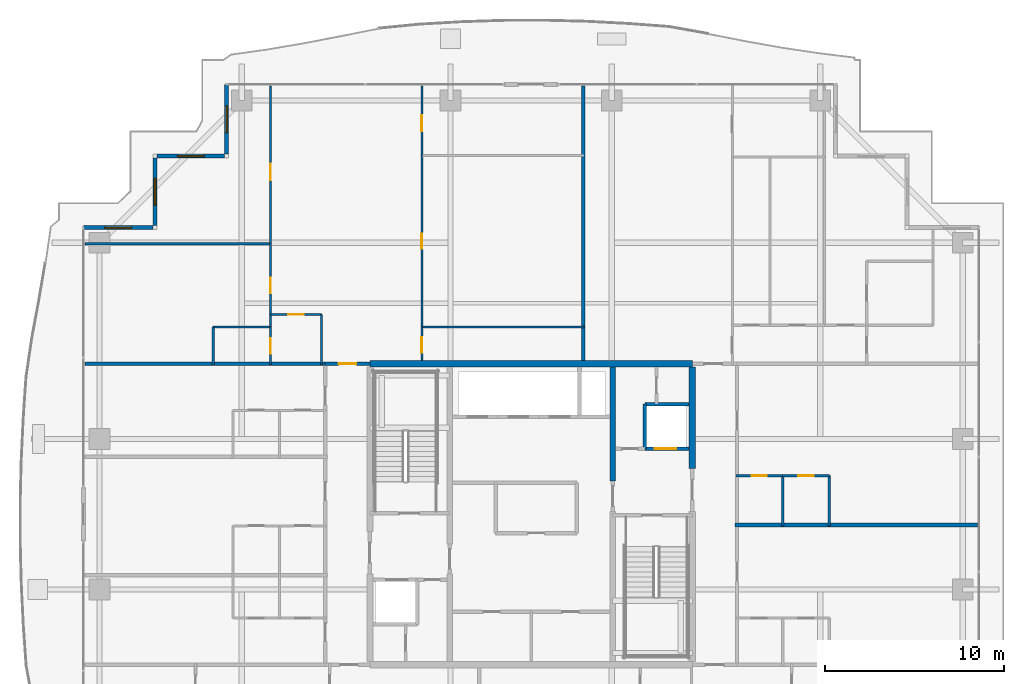
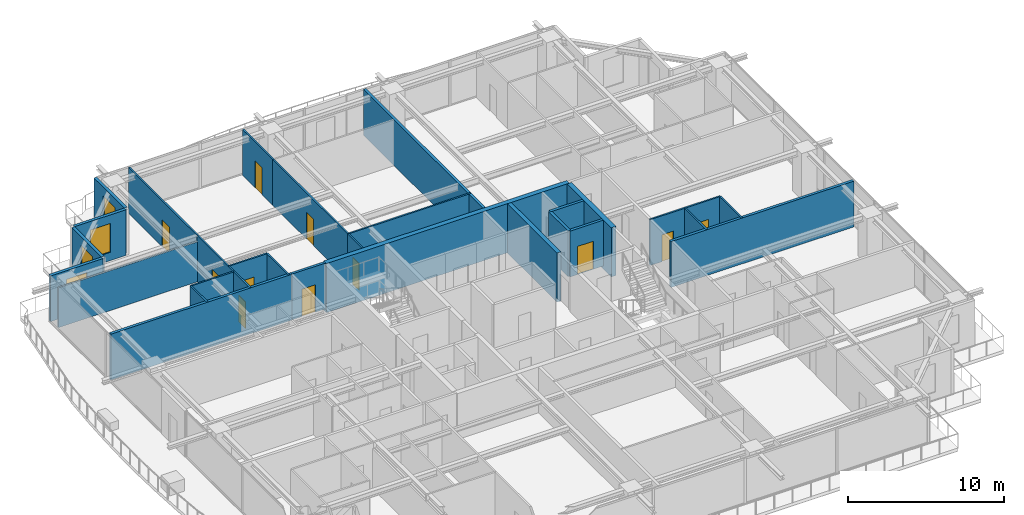
# One storey, part 30 of 38: 30 walls, 11 doors, 4 windows, 15 openings.
"""IFC4 building model written with IfcOpenShell, lengths in metres."""

from ifc_helpers import new_model, si_unit, direction, frame, frame_2d, origin, place, context, subcontext, project, spatial, rectangle, extrude, source, transform, mapped, material, layer, layer_set, type_object, element, fill, save


model = new_model("IFC4")

# Units and contexts
model_context = context("Model", 3, precision=1e-05, world=origin(), true_north=direction((0.0, 1.0)))
body_context = subcontext(model_context, "Body", "Model", "MODEL_VIEW")
ifc_project = project(units=[si_unit("LENGTHUNIT", "METRE"), si_unit("AREAUNIT", "SQUARE_METRE"), si_unit("VOLUMEUNIT", "CUBIC_METRE"), si_unit("PLANEANGLEUNIT", "RADIAN"), si_unit("MASSUNIT", "GRAM", prefix="KILO")], contexts=[model_context])

# Site, building, storey
site_placement = place(None, origin())
site = spatial("IfcSite", under=ifc_project, at=site_placement, CompositionType="ELEMENT")
building_placement = place(site_placement, origin())
building = spatial("IfcBuilding", under=site, at=building_placement, Name="Serunith Strait Residences", CompositionType="ELEMENT")
storey_placement = place(building_placement, frame((0.0, 0.0, 237.39990234375)))
storey = spatial("IfcBuildingStorey", under=building, at=storey_placement, Name="L59", CompositionType="ELEMENT", Elevation=237.39990234375)

# Wall, opening, window
ifc_material_1 = material(Name="Pale-Champagne Aluminium Insulated Panel", Category="aluminium")
ifc_layer_1 = layer(ifc_material_1, 0.219970703125, Name="Pale-Champagne Aluminium Insulated Panel")
ifc_layer_set_1 = layer_set([ifc_layer_1], Name="Pale-Champagne Aluminium Insulated Panel")
wall_type_1 = type_object("IfcWallType", Name="EW-ALUM-220", PredefinedType="ELEMENTEDWALL", material=ifc_layer_set_1)
wall_1_placement = place(storey_placement, frame((15.39990234375, 49.199951171875, 0.0), z_axis=(0.0, 0.0, 1.0), x_axis=(0.0, -1.0, 0.0)))
wall_1 = element("IfcWall", 1, at=wall_1_placement, inside=storey, type_object=wall_type_1, Name="L59 Girih Serrated Corner Wall 12", PredefinedType="ELEMENTEDWALL", context=body_context, shape_type="SweptSolid", body=[
    extrude(rectangle(XDim=3.889892578125, YDim=0.219970703125, at=frame_2d((1.94482421875, 0.0))), origin(), (0.0, 0.0, 1.0), 3.5751953125),
])
opening_1_placement = place(wall_1_placement, frame((1.195068359375, 0.0, 0.64990234375)))
opening_1 = element("IfcOpeningElement", 2, at=opening_1_placement, cuts=wall_1, Name="Opening W-05", PredefinedType="OPENING", context=body_context, shape_type="SweptSolid", body=[
    extrude(rectangle(XDim=1.5, YDim=2.25, at=frame_2d((0.75, 1.125))), frame((0.0, 0.1201171875, 0.0), z_axis=(0.0, -1.0, 0.0), x_axis=(1.0, 0.0, 0.0)), (0.0, 0.0, 1.0), 0.239990234375),
])
ifc_material_2 = material(Name="Ceramic-Fritted Operable Aluminium Window Glass", Category="aluminium")
window_type = type_object("IfcWindowType", Name="WIN-C5", PartitioningType="DOUBLE_PANEL_VERTICAL", PredefinedType="WINDOW", material=ifc_material_2)
shared_shape_1 = source(origin(), body_context, "Body", "SweptSolid", [
    extrude(rectangle(XDim=1.5, YDim=2.25, at=frame_2d((0.75, 1.125))), frame((0.0, 0.030029296875, 0.0), z_axis=(0.0, -1.0, 0.0), x_axis=(1.0, 0.0, 0.0)), (0.0, 0.0, 1.0), 0.06005859375),
])
window_1_placement = place(opening_1_placement, origin())
window_1 = element("IfcWindow", 3, at=window_1_placement, inside=storey, type_object=window_type, Name="L59 Corner Operable Fritted Window 12", OverallHeight=2.25, OverallWidth=1.5, PartitioningType="SINGLE_PANEL", PredefinedType="WINDOW", context=body_context, shape_type="MappedRepresentation", body=[
    mapped(shared_shape_1, transform((0.0, 0.0, 0.0), scale=1.0)),
])
fill(opening_1, window_1)

wall_2_placement = place(storey_placement, frame((15.2900390625, 45.199951171875, 0.0), z_axis=(0.0, 0.0, 1.0), x_axis=(-1.0, 0.0, 0.0)))
wall_2 = element("IfcWall", 4, at=wall_2_placement, inside=storey, type_object=wall_type_1, Name="L59 Girih Serrated Corner Wall 13", PredefinedType="ELEMENTEDWALL", context=body_context, shape_type="SweptSolid", body=[
    extrude(rectangle(XDim=3.780029296875, YDim=0.219970703125, at=frame_2d((1.89013671875, 0.0))), origin(), (0.0, 0.0, 1.0), 3.5751953125),
])
opening_2_placement = place(wall_2_placement, frame((1.139892578125, 0.0, 0.64990234375)))
opening_2 = element("IfcOpeningElement", 5, at=opening_2_placement, cuts=wall_2, Name="Opening W-05", PredefinedType="OPENING", context=body_context, shape_type="SweptSolid", body=[
    extrude(rectangle(XDim=1.5, YDim=2.25, at=frame_2d((0.75, 1.125))), frame((0.0, 0.1201171875, 0.0), z_axis=(0.0, -1.0, 0.0), x_axis=(1.0, 0.0, 0.0)), (0.0, 0.0, 1.0), 0.239990234375),
])
window_2_placement = place(opening_2_placement, origin())
window_2 = element("IfcWindow", 6, at=window_2_placement, inside=storey, type_object=window_type, Name="L59 Corner Operable Fritted Window 13", OverallHeight=2.25, OverallWidth=1.5, PartitioningType="SINGLE_PANEL", PredefinedType="WINDOW", context=body_context, shape_type="MappedRepresentation", body=[
    mapped(shared_shape_1, transform((0.0, 0.0, 0.0), scale=1.0)),
])
fill(opening_2, window_2)

wall_3_placement = place(storey_placement, frame((11.39990234375, 45.090087890625, 0.0), z_axis=(0.0, 0.0, 1.0), x_axis=(0.0, -1.0, 0.0)))
wall_3 = element("IfcWall", 7, at=wall_3_placement, inside=storey, type_object=wall_type_1, Name="L59 Girih Serrated Corner Wall 14", PredefinedType="ELEMENTEDWALL", context=body_context, shape_type="SweptSolid", body=[
    extrude(rectangle(XDim=3.780029296875, YDim=0.219970703125, at=frame_2d((1.89013671875, 0.0))), origin(), (0.0, 0.0, 1.0), 3.5751953125),
])
opening_3_placement = place(wall_3_placement, frame((1.139892578125, 0.0, 0.64990234375)))
opening_3 = element("IfcOpeningElement", 8, at=opening_3_placement, cuts=wall_3, Name="Opening W-05", PredefinedType="OPENING", context=body_context, shape_type="SweptSolid", body=[
    extrude(rectangle(XDim=1.5, YDim=2.25, at=frame_2d((0.75, 1.125))), frame((0.0, 0.1201171875, 0.0), z_axis=(0.0, -1.0, 0.0), x_axis=(1.0, 0.0, 0.0)), (0.0, 0.0, 1.0), 0.239990234375),
])
window_3_placement = place(opening_3_placement, origin())
window_3 = element("IfcWindow", 9, at=window_3_placement, inside=storey, type_object=window_type, Name="L59 Corner Operable Fritted Window 14", OverallHeight=2.25, OverallWidth=1.5, PartitioningType="SINGLE_PANEL", PredefinedType="WINDOW", context=body_context, shape_type="MappedRepresentation", body=[
    mapped(shared_shape_1, transform((0.0, 0.0, 0.0), scale=1.0)),
])
fill(opening_3, window_3)

wall_4_placement = place(storey_placement, frame((11.2900390625, 41.199951171875, 0.0), z_axis=(0.0, 0.0, 1.0), x_axis=(-1.0, 0.0, 0.0)))
wall_4 = element("IfcWall", 10, at=wall_4_placement, inside=storey, type_object=wall_type_1, Name="L59 Girih Serrated Corner Wall 15", PredefinedType="ELEMENTEDWALL", context=body_context, shape_type="SweptSolid", body=[
    extrude(rectangle(XDim=3.89013671875, YDim=0.219970703125, at=frame_2d((1.945068359375, 0.0))), origin(), (0.0, 0.0, 1.0), 3.5751953125),
])
opening_4_placement = place(wall_4_placement, frame((1.195068359375, 0.0, 0.64990234375)))
opening_4 = element("IfcOpeningElement", 11, at=opening_4_placement, cuts=wall_4, Name="Opening W-05", PredefinedType="OPENING", context=body_context, shape_type="SweptSolid", body=[
    extrude(rectangle(XDim=1.5, YDim=2.25, at=frame_2d((0.75, 1.125))), frame((0.0, 0.1201171875, 0.0), z_axis=(0.0, -1.0, 0.0), x_axis=(1.0, 0.0, 0.0)), (0.0, 0.0, 1.0), 0.239990234375),
])
window_4_placement = place(opening_4_placement, origin())
window_4 = element("IfcWindow", 12, at=window_4_placement, inside=storey, type_object=window_type, Name="L59 Corner Operable Fritted Window 15", OverallHeight=2.25, OverallWidth=1.5, PartitioningType="SINGLE_PANEL", PredefinedType="WINDOW", context=body_context, shape_type="MappedRepresentation", body=[
    mapped(shared_shape_1, transform((0.0, 0.0, 0.0), scale=1.0)),
])
fill(opening_4, window_4)

# Wall, opening, door
ifc_material_3 = material(Name="Fire-rated acoustic gypsum partition")
ifc_layer_2 = layer(ifc_material_3, 0.179931640625, Name="Fire-rated acoustic gypsum partition")
ifc_layer_set_2 = layer_set([ifc_layer_2], Name="Fire-rated acoustic gypsum partition")
wall_type_2 = type_object("IfcWallType", Name="IW-CORR-180", PredefinedType="PARTITIONING", material=ifc_layer_set_2)
wall_5_placement = place(storey_placement, frame((20.902099609375, 33.60009765625, 0.0), z_axis=(0.0, 0.0, 1.0), x_axis=(1.0, 0.0, 0.0)))
wall_5 = element("IfcWall", 13, at=wall_5_placement, inside=storey, type_object=wall_type_2, Name="L59 Partition Wall 030", PredefinedType="PARTITIONING", context=body_context, shape_type="SweptSolid", body=[
    extrude(rectangle(XDim=2.495849609375, YDim=0.179931640625, at=frame_2d((1.248046875, 0.0))), origin(), (0.0, 0.0, 1.0), 3.590087890625),
])
opening_5_placement = place(wall_5_placement, frame((0.748046875, 0.0, 0.0)))
opening_5 = element("IfcOpeningElement", 14, at=opening_5_placement, cuts=wall_5, Name="Opening D-APT1000", PredefinedType="OPENING", context=body_context, shape_type="SweptSolid", body=[
    extrude(rectangle(XDim=1.0, YDim=2.14990234375, at=frame_2d((0.5, 1.074951171875))), frame((0.0, 0.10009765625, 0.0), z_axis=(0.0, -1.0, 0.0), x_axis=(1.0, 0.0, 0.0)), (0.0, 0.0, 1.0), 0.199951171875),
])
ifc_material_4 = material(Name="Solid timber engineered fire door", Category="wood")
door_type_1 = type_object("IfcDoorType", Name="ID-APT-1000", OperationType="NOTDEFINED", PredefinedType="DOOR", material=ifc_material_4)
shared_shape_2 = source(origin(), body_context, "Body", "SweptSolid", [
    extrude(rectangle(XDim=1.0, YDim=2.14990234375, at=frame_2d((0.5, 1.074951171875))), frame((0.0, 0.02490234375, 0.0), z_axis=(0.0, -1.0, 0.0), x_axis=(1.0, 0.0, 0.0)), (0.0, 0.0, 1.0), 0.050048828125),
])
door_1_placement = place(opening_5_placement, origin())
door_1 = element("IfcDoor", 15, at=door_1_placement, inside=storey, type_object=door_type_1, Name="L59 Unit 03 Entrance Door", OperationType="SINGLE_SWING_LEFT", OverallHeight=2.14990234375, OverallWidth=1.0, PredefinedType="DOOR", context=body_context, shape_type="MappedRepresentation", body=[
    mapped(shared_shape_2, transform((0.0, 0.0, 0.0), scale=1.0)),
])
fill(opening_5, door_1)

ifc_material_5 = material(Name="Lightweight steel-stud gypsum partition", Category="steel")
ifc_layer_3 = layer(ifc_material_5, 0.1201171875, Name="Lightweight steel-stud gypsum partition")
ifc_layer_set_3 = layer_set([ifc_layer_3], Name="Lightweight steel-stud gypsum partition")
wall_type_3 = type_object("IfcWallType", Name="IW-PART-120", PredefinedType="PARTITIONING", material=ifc_layer_set_3)
wall_6_placement = place(storey_placement, frame((17.85009765625, 36.35009765625, 0.0), z_axis=(0.0, 0.0, 1.0), x_axis=(1.0, 0.0, 0.0)))
wall_6 = element("IfcWall", 16, at=wall_6_placement, inside=storey, type_object=wall_type_3, Name="L59 Partition Wall 062", PredefinedType="PARTITIONING", context=body_context, shape_type="SweptSolid", body=[
    extrude(rectangle(XDim=2.849853515625, YDim=0.1201171875, at=frame_2d((1.4248046875, 0.0))), origin(), (0.0, 0.0, 1.0), 3.590087890625),
])
opening_6_placement = place(wall_6_placement, frame((1.0, 0.0, 0.0)))
opening_6 = element("IfcOpeningElement", 17, at=opening_6_placement, cuts=wall_6, Name="Opening D-RM850", PredefinedType="OPENING", context=body_context, shape_type="SweptSolid", body=[
    extrude(rectangle(XDim=0.85009765625, YDim=2.10009765625, at=frame_2d((0.425048828125, 1.050048828125))), frame((0.0, 0.070068359375, 0.0), z_axis=(0.0, -1.0, 0.0), x_axis=(1.0, 0.0, 0.0)), (0.0, 0.0, 1.0), 0.14013671875),
])
ifc_material_6 = material(Name="Engineered timber flush study and kitchen door", Category="wood")
door_type_2 = type_object("IfcDoorType", Name="ID-ROOM-850", OperationType="NOTDEFINED", PredefinedType="DOOR", material=ifc_material_6)
shared_shape_3 = source(origin(), body_context, "Body", "SweptSolid", [
    extrude(rectangle(XDim=0.85009765625, YDim=2.10009765625, at=frame_2d((0.425048828125, 1.050048828125))), frame((0.0, 0.02490234375, 0.0), z_axis=(0.0, -1.0, 0.0), x_axis=(1.0, 0.0, 0.0)), (0.0, 0.0, 1.0), 0.050048828125),
])
door_2_placement = place(opening_6_placement, origin())
door_2 = element("IfcDoor", 18, at=door_2_placement, inside=storey, type_object=door_type_2, Name="L59 Kitchen 5903 Door", OperationType="SINGLE_SWING_LEFT", OverallHeight=2.10009765625, OverallWidth=0.85009765625, PredefinedType="DOOR", context=body_context, shape_type="MappedRepresentation", body=[
    mapped(shared_shape_3, transform((0.0, 0.0, 0.0), scale=1.0)),
])
fill(opening_6, door_2)

# Wall
wall_7_placement = place(storey_placement, frame((20.699951171875, 36.35009765625, 0.0), z_axis=(0.0, 0.0, 1.0), x_axis=(0.0, -1.0, 0.0)))
element("IfcWall", 19, at=wall_7_placement, inside=storey, type_object=wall_type_3, Name="L59 Partition Wall 063", PredefinedType="PARTITIONING", context=body_context, shape_type="SweptSolid", body=[
    extrude(rectangle(XDim=2.81005859375, YDim=0.1201171875, at=frame_2d((1.405029296875, 0.0))), origin(), (0.0, 0.0, 1.0), 3.590087890625),
])

# Wall, opening, door
wall_8_placement = place(storey_placement, frame((17.85009765625, 49.10498046875, 0.0), z_axis=(0.0, 0.0, 1.0), x_axis=(0.0, -1.0, 0.0)))
wall_8 = element("IfcWall", 20, at=wall_8_placement, inside=storey, type_object=wall_type_3, Name="L59 Partition Wall 064", PredefinedType="PARTITIONING", context=body_context, shape_type="SweptSolid", body=[
    extrude(rectangle(XDim=8.799072265625, YDim=0.1201171875, at=frame_2d((4.3994140625, 0.0))), origin(), (0.0, 0.0, 1.0), 3.590087890625),
])
opening_7_placement = place(wall_8_placement, frame((4.343994140625, 0.0, 0.0)))
opening_7 = element("IfcOpeningElement", 21, at=opening_7_placement, cuts=wall_8, Name="Opening D-RM900", PredefinedType="OPENING", context=body_context, shape_type="SweptSolid", body=[
    extrude(rectangle(XDim=0.89990234375, YDim=2.10009765625, at=frame_2d((0.449951171875, 1.050048828125))), frame((0.0, 0.070068359375, 0.0), z_axis=(0.0, -1.0, 0.0), x_axis=(1.0, 0.0, 0.0)), (0.0, 0.0, 1.0), 0.14013671875),
])
ifc_material_7 = material(Name="Engineered timber flush bedroom door", Category="wood")
door_type_3 = type_object("IfcDoorType", Name="ID-ROOM-900", OperationType="NOTDEFINED", PredefinedType="DOOR", material=ifc_material_7)
shared_shape_4 = source(origin(), body_context, "Body", "SweptSolid", [
    extrude(rectangle(XDim=0.89990234375, YDim=2.10009765625, at=frame_2d((0.449951171875, 1.050048828125))), frame((0.0, 0.02490234375, 0.0), z_axis=(0.0, -1.0, 0.0), x_axis=(1.0, 0.0, 0.0)), (0.0, 0.0, 1.0), 0.050048828125),
])
door_3_placement = place(opening_7_placement, origin())
door_3 = element("IfcDoor", 22, at=door_3_placement, inside=storey, type_object=door_type_3, Name="L59 Master Bedroom 1 5903 Door", OperationType="SINGLE_SWING_RIGHT", OverallHeight=2.10009765625, OverallWidth=0.89990234375, PredefinedType="DOOR", context=body_context, shape_type="MappedRepresentation", body=[
    mapped(shared_shape_4, transform((0.0, 0.0, 0.0), scale=1.0)),
])
fill(opening_7, door_3)

# Walls
wall_9_placement = place(storey_placement, frame((7.4951171875, 40.305908203125, 0.0), z_axis=(0.0, 0.0, 1.0), x_axis=(1.0, 0.0, 0.0)))
element("IfcWall", 23, at=wall_9_placement, inside=storey, type_object=wall_type_3, Name="L59 Partition Wall 065", PredefinedType="PARTITIONING", context=body_context, shape_type="SweptSolid", body=[
    extrude(rectangle(XDim=10.35498046875, YDim=0.1201171875, at=frame_2d((5.177490234375, 0.0))), origin(), (0.0, 0.0, 1.0), 3.1220703125),
])
wall_10_placement = place(storey_placement, frame((14.64990234375, 35.64990234375, 0.0), z_axis=(0.0, 0.0, 1.0), x_axis=(1.0, 0.0, 0.0)))
element("IfcWall", 24, at=wall_10_placement, inside=storey, type_object=wall_type_3, Name="L59 Partition Wall 066", PredefinedType="PARTITIONING", context=body_context, shape_type="SweptSolid", body=[
    extrude(rectangle(XDim=3.2001953125, YDim=0.1201171875, at=frame_2d((1.60009765625, 0.0))), origin(), (0.0, 0.0, 1.0), 3.590087890625),
])
wall_11_placement = place(storey_placement, frame((14.64990234375, 35.64990234375, 0.0), z_axis=(0.0, 0.0, 1.0), x_axis=(0.0, -1.0, 0.0)))
element("IfcWall", 25, at=wall_11_placement, inside=storey, type_object=wall_type_3, Name="L59 Partition Wall 067", PredefinedType="PARTITIONING", context=body_context, shape_type="SweptSolid", body=[
    extrude(rectangle(XDim=2.10986328125, YDim=0.1201171875, at=frame_2d((1.054931640625, 0.0))), origin(), (0.0, 0.0, 1.0), 3.590087890625),
])

# Wall, opening, door
wall_12_placement = place(storey_placement, frame((17.85009765625, 40.303955078125, 0.0), z_axis=(0.0, 0.0, 1.0), x_axis=(0.0, -1.0, 0.0)))
wall_12 = element("IfcWall", 26, at=wall_12_placement, inside=storey, type_object=wall_type_3, Name="L59 Partition Wall 068", PredefinedType="PARTITIONING", context=body_context, shape_type="SweptSolid", body=[
    extrude(rectangle(XDim=4.654052734375, YDim=0.1201171875, at=frame_2d((2.3271484375, 0.0))), origin(), (0.0, 0.0, 1.0), 3.590087890625),
])
opening_8_placement = place(wall_12_placement, frame((1.902099609375, 0.0, 0.0)))
opening_8 = element("IfcOpeningElement", 27, at=opening_8_placement, cuts=wall_12, Name="Opening D-RM850", PredefinedType="OPENING", context=body_context, shape_type="SweptSolid", body=[
    extrude(rectangle(XDim=0.85009765625, YDim=2.10009765625, at=frame_2d((0.425048828125, 1.050048828125))), frame((0.0, 0.070068359375, 0.0), z_axis=(0.0, -1.0, 0.0), x_axis=(1.0, 0.0, 0.0)), (0.0, 0.0, 1.0), 0.14013671875),
])
door_4_placement = place(opening_8_placement, origin())
door_4 = element("IfcDoor", 28, at=door_4_placement, inside=storey, type_object=door_type_2, Name="L59 Walk-in Wardrobe 5903 Door", OperationType="SINGLE_SWING_LEFT", OverallHeight=2.10009765625, OverallWidth=0.85009765625, PredefinedType="DOOR", context=body_context, shape_type="MappedRepresentation", body=[
    mapped(shared_shape_3, transform((0.0, 0.0, 0.0), scale=1.0)),
])
fill(opening_8, door_4)

wall_13_placement = place(storey_placement, frame((17.85009765625, 35.64794921875, 0.0), z_axis=(0.0, 0.0, 1.0), x_axis=(0.0, -1.0, 0.0)))
wall_13 = element("IfcWall", 29, at=wall_13_placement, inside=storey, type_object=wall_type_3, Name="L59 Partition Wall 069", PredefinedType="PARTITIONING", context=body_context, shape_type="SweptSolid", body=[
    extrude(rectangle(XDim=2.10791015625, YDim=0.1201171875, at=frame_2d((1.053955078125, 0.0))), origin(), (0.0, 0.0, 1.0), 3.590087890625),
])
opening_9_placement = place(wall_13_placement, frame((0.62890625, 0.0, 0.0)))
opening_9 = element("IfcOpeningElement", 30, at=opening_9_placement, cuts=wall_13, Name="Opening D-BTH850", PredefinedType="OPENING", context=body_context, shape_type="SweptSolid", body=[
    extrude(rectangle(XDim=0.85009765625, YDim=2.10009765625, at=frame_2d((0.425048828125, 1.050048828125))), frame((0.0, 0.070068359375, 0.0), z_axis=(0.0, -1.0, 0.0), x_axis=(1.0, 0.0, 0.0)), (0.0, 0.0, 1.0), 0.14013671875),
])
ifc_material_8 = material(Name="Moisture-resistant timber bathroom door", Category="wood")
door_type_4 = type_object("IfcDoorType", Name="ID-BATH-850", OperationType="NOTDEFINED", PredefinedType="DOOR", material=ifc_material_8)
door_5_placement = place(opening_9_placement, origin())
door_5 = element("IfcDoor", 31, at=door_5_placement, inside=storey, type_object=door_type_4, Name="L59 Bathroom 5903 Door", OperationType="SINGLE_SWING_RIGHT", OverallHeight=2.10009765625, OverallWidth=0.85009765625, PredefinedType="DOOR", context=body_context, shape_type="MappedRepresentation", body=[
    mapped(shared_shape_3, transform((0.0, 0.0, 0.0), scale=1.0)),
])
fill(opening_9, door_5)

wall_14_placement = place(storey_placement, frame((26.300048828125, 49.10498046875, 0.0), z_axis=(0.0, 0.0, 1.0), x_axis=(0.0, -1.0, 0.0)))
wall_14 = element("IfcWall", 32, at=wall_14_placement, inside=storey, type_object=wall_type_3, Name="L59 Partition Wall 070", PredefinedType="PARTITIONING", context=body_context, shape_type="SweptSolid", body=[
    extrude(rectangle(XDim=3.868896484375, YDim=0.1201171875, at=frame_2d((1.9345703125, 0.0))), origin(), (0.0, 0.0, 1.0), 3.590087890625),
])
opening_10_placement = place(wall_14_placement, frame((1.633056640625, 0.0, 0.0)))
opening_10 = element("IfcOpeningElement", 33, at=opening_10_placement, cuts=wall_14, Name="Opening D-RM900", PredefinedType="OPENING", context=body_context, shape_type="SweptSolid", body=[
    extrude(rectangle(XDim=0.89990234375, YDim=2.10009765625, at=frame_2d((0.449951171875, 1.050048828125))), frame((0.0, 0.070068359375, 0.0), z_axis=(0.0, -1.0, 0.0), x_axis=(1.0, 0.0, 0.0)), (0.0, 0.0, 1.0), 0.14013671875),
])
door_6_placement = place(opening_10_placement, origin())
door_6 = element("IfcDoor", 34, at=door_6_placement, inside=storey, type_object=door_type_3, Name="L59 Bedroom 2 5903 Door", OperationType="SINGLE_SWING_LEFT", OverallHeight=2.10009765625, OverallWidth=0.89990234375, PredefinedType="DOOR", context=body_context, shape_type="MappedRepresentation", body=[
    mapped(shared_shape_4, transform((0.0, 0.0, 0.0), scale=1.0)),
])
fill(opening_10, door_6)

# Wall
wall_15_placement = place(storey_placement, frame((26.300048828125, 35.64990234375, 0.0), z_axis=(0.0, 0.0, 1.0), x_axis=(1.0, 0.0, 0.0)))
element("IfcWall", 35, at=wall_15_placement, inside=storey, type_object=wall_type_3, Name="L59 Partition Wall 072", PredefinedType="PARTITIONING", context=body_context, shape_type="SweptSolid", body=[
    extrude(rectangle(XDim=9.06005859375, YDim=0.1201171875, at=frame_2d((4.530029296875, 0.0))), origin(), (0.0, 0.0, 1.0), 3.590087890625),
])

# Wall, opening, door
wall_16_placement = place(storey_placement, frame((26.300048828125, 45.23388671875, 0.0), z_axis=(0.0, 0.0, 1.0), x_axis=(0.0, -1.0, 0.0)))
wall_16 = element("IfcWall", 36, at=wall_16_placement, inside=storey, type_object=wall_type_3, Name="L59 Partition Wall 073", PredefinedType="PARTITIONING", context=body_context, shape_type="SweptSolid", body=[
    extrude(rectangle(XDim=9.583984375, YDim=0.1201171875, at=frame_2d((4.7919921875, 0.0))), origin(), (0.0, 0.0, 1.0), 3.590087890625),
])
opening_11_placement = place(wall_16_placement, frame((4.366943359375, 0.0, 0.0)))
opening_11 = element("IfcOpeningElement", 37, at=opening_11_placement, cuts=wall_16, Name="Opening D-RM850", PredefinedType="OPENING", context=body_context, shape_type="SweptSolid", body=[
    extrude(rectangle(XDim=0.85009765625, YDim=2.10009765625, at=frame_2d((0.425048828125, 1.050048828125))), frame((0.0, 0.070068359375, 0.0), z_axis=(0.0, -1.0, 0.0), x_axis=(1.0, 0.0, 0.0)), (0.0, 0.0, 1.0), 0.14013671875),
])
door_7_placement = place(opening_11_placement, origin())
door_7 = element("IfcDoor", 38, at=door_7_placement, inside=storey, type_object=door_type_2, Name="L59 Walk-in Wardrobe 5903 Door", OperationType="SINGLE_SWING_RIGHT", OverallHeight=2.10009765625, OverallWidth=0.85009765625, PredefinedType="DOOR", context=body_context, shape_type="MappedRepresentation", body=[
    mapped(shared_shape_3, transform((0.0, 0.0, 0.0), scale=1.0)),
])
fill(opening_11, door_7)

wall_17_placement = place(storey_placement, frame((26.300048828125, 35.64794921875, 0.0), z_axis=(0.0, 0.0, 1.0), x_axis=(0.0, -1.0, 0.0)))
wall_17 = element("IfcWall", 39, at=wall_17_placement, inside=storey, type_object=wall_type_3, Name="L59 Partition Wall 074", PredefinedType="PARTITIONING", context=body_context, shape_type="SweptSolid", body=[
    extrude(rectangle(XDim=1.873046875, YDim=0.1201171875, at=frame_2d((0.9365234375, 0.0))), origin(), (0.0, 0.0, 1.0), 3.590087890625),
])
opening_12_placement = place(wall_17_placement, frame((0.574951171875, 0.0, 0.0)))
opening_12 = element("IfcOpeningElement", 40, at=opening_12_placement, cuts=wall_17, Name="Opening D-BTH850", PredefinedType="OPENING", context=body_context, shape_type="SweptSolid", body=[
    extrude(rectangle(XDim=0.85009765625, YDim=2.10009765625, at=frame_2d((0.425048828125, 1.050048828125))), frame((0.0, 0.070068359375, 0.0), z_axis=(0.0, -1.0, 0.0), x_axis=(1.0, 0.0, 0.0)), (0.0, 0.0, 1.0), 0.14013671875),
])
door_8_placement = place(opening_12_placement, origin())
door_8 = element("IfcDoor", 41, at=door_8_placement, inside=storey, type_object=door_type_4, Name="L59 Bathroom 5903 Door", OperationType="SINGLE_SWING_LEFT", OverallHeight=2.10009765625, OverallWidth=0.85009765625, PredefinedType="DOOR", context=body_context, shape_type="MappedRepresentation", body=[
    mapped(shared_shape_3, transform((0.0, 0.0, 0.0), scale=1.0)),
])
fill(opening_12, door_8)

wall_18_placement = place(storey_placement, frame((49.050048828125, 27.35009765625, 0.0), z_axis=(0.0, 0.0, 1.0), x_axis=(-1.0, 0.0, 0.0)))
wall_18 = element("IfcWall", 42, at=wall_18_placement, inside=storey, type_object=wall_type_3, Name="L59 Partition Wall 105", PredefinedType="PARTITIONING", context=body_context, shape_type="SweptSolid", body=[
    extrude(rectangle(XDim=2.60009765625, YDim=0.1201171875, at=frame_2d((1.300048828125, 0.0))), origin(), (0.0, 0.0, 1.0), 3.590087890625),
])
opening_13_placement = place(wall_18_placement, frame((0.875, 0.0, 0.0)))
opening_13 = element("IfcOpeningElement", 43, at=opening_13_placement, cuts=wall_18, Name="Opening D-RM850", PredefinedType="OPENING", context=body_context, shape_type="SweptSolid", body=[
    extrude(rectangle(XDim=0.85009765625, YDim=2.10009765625, at=frame_2d((0.425048828125, 1.050048828125))), frame((0.0, 0.070068359375, 0.0), z_axis=(0.0, -1.0, 0.0), x_axis=(1.0, 0.0, 0.0)), (0.0, 0.0, 1.0), 0.14013671875),
])
door_9_placement = place(opening_13_placement, origin())
door_9 = element("IfcDoor", 44, at=door_9_placement, inside=storey, type_object=door_type_2, Name="L59 Kitchen 5909 Door", OperationType="SINGLE_SWING_LEFT", OverallHeight=2.10009765625, OverallWidth=0.85009765625, PredefinedType="DOOR", context=body_context, shape_type="MappedRepresentation", body=[
    mapped(shared_shape_3, transform((0.0, 0.0, 0.0), scale=1.0)),
])
fill(opening_13, door_9)

wall_19_placement = place(storey_placement, frame((46.447998046875, 27.35009765625, 0.0), z_axis=(0.0, 0.0, 1.0), x_axis=(-1.0, 0.0, 0.0)))
wall_19 = element("IfcWall", 45, at=wall_19_placement, inside=storey, type_object=wall_type_3, Name="L59 Partition Wall 106", PredefinedType="PARTITIONING", context=body_context, shape_type="SweptSolid", body=[
    extrude(rectangle(XDim=2.60791015625, YDim=0.1201171875, at=frame_2d((1.303955078125, 0.0))), origin(), (0.0, 0.0, 1.0), 3.590087890625),
])
opening_14_placement = place(wall_19_placement, frame((0.87890625, 0.0, 0.0)))
opening_14 = element("IfcOpeningElement", 46, at=opening_14_placement, cuts=wall_19, Name="Opening D-BTH850", PredefinedType="OPENING", context=body_context, shape_type="SweptSolid", body=[
    extrude(rectangle(XDim=0.85009765625, YDim=2.10009765625, at=frame_2d((0.425048828125, 1.050048828125))), frame((0.0, 0.070068359375, 0.0), z_axis=(0.0, -1.0, 0.0), x_axis=(1.0, 0.0, 0.0)), (0.0, 0.0, 1.0), 0.14013671875),
])
door_10_placement = place(opening_14_placement, origin())
door_10 = element("IfcDoor", 47, at=door_10_placement, inside=storey, type_object=door_type_4, Name="L59 Bathroom 5909 Door", OperationType="SINGLE_SWING_RIGHT", OverallHeight=2.10009765625, OverallWidth=0.85009765625, PredefinedType="DOOR", context=body_context, shape_type="MappedRepresentation", body=[
    mapped(shared_shape_3, transform((0.0, 0.0, 0.0), scale=1.0)),
])
fill(opening_14, door_10)

# Walls
for number, where, z_axis, x_axis, name in (
    (48, (46.449951171875, 24.5400390625, 0.0), (0.0, 0.0, 1.0), (0.0, 1.0, 0.0), "L59 Partition Wall 107"),
    (49, (49.050048828125, 24.5400390625, 0.0), (0.0, 0.0, 1.0), (0.0, 1.0, 0.0), "L59 Partition Wall 108"),
):
    element("IfcWall", number, at=place(storey_placement, frame(where, z_axis=z_axis, x_axis=x_axis)), inside=storey, type_object=wall_type_3, Name=name, PredefinedType="PARTITIONING", context=body_context, shape_type="SweptSolid", body=[
        extrude(rectangle(XDim=2.81005859375, YDim=0.1201171875, at=frame_2d((1.405029296875, 0.0))), origin(), (0.0, 0.0, 1.0), 3.590087890625),
    ])
ifc_material_9 = material(Name="Twin-stud acoustic gypsum board partition")
ifc_layer_4 = layer(ifc_material_9, 0.199951171875, Name="Twin-stud acoustic gypsum board partition")
ifc_layer_set_4 = layer_set([ifc_layer_4], Name="Twin-stud acoustic gypsum board partition")
wall_type_4 = type_object("IfcWallType", Name="IW-PARTY-200", PredefinedType="PARTITIONING", material=ifc_layer_set_4)
wall_20_placement = place(storey_placement, frame((35.300048828125, 33.77490234375, 0.0), z_axis=(0.0, 0.0, 1.0), x_axis=(0.0, 1.0, 0.0)))
element("IfcWall", 50, at=wall_20_placement, inside=storey, type_object=wall_type_4, Name="L59 Partition Wall 021", PredefinedType="PARTITIONING", context=body_context, shape_type="SweptSolid", body=[
    extrude(rectangle(XDim=15.343017578125, YDim=0.199951171875, at=frame_2d((7.67138671875, 0.0))), origin(), (0.0, 0.0, 1.0), 3.590087890625),
])
wall_21_placement = place(storey_placement, frame((43.780029296875, 24.60009765625, 0.0), z_axis=(0.0, 0.0, 1.0), x_axis=(1.0, 0.0, 0.0)))
element("IfcWall", 51, at=wall_21_placement, inside=storey, type_object=wall_type_4, Name="L59 Partition Wall 024", PredefinedType="PARTITIONING", context=body_context, shape_type="SweptSolid", body=[
    extrude(rectangle(XDim=13.5380859375, YDim=0.199951171875, at=frame_2d((6.76904296875, 0.0))), origin(), (0.0, 0.0, 1.0), 3.590087890625),
])
wall_22_placement = place(storey_placement, frame((7.48193359375, 33.60009765625, 0.0), z_axis=(0.0, 0.0, 1.0), x_axis=(1.0, 0.0, 0.0)))
element("IfcWall", 52, at=wall_22_placement, inside=storey, type_object=wall_type_4, Name="L59 Partition Wall 027", PredefinedType="PARTITIONING", context=body_context, shape_type="SweptSolid", body=[
    extrude(rectangle(XDim=13.41796875, YDim=0.199951171875, at=frame_2d((6.708984375, 0.0))), origin(), (0.0, 0.0, 1.0), 3.590087890625),
])

# Wall, opening, door
ifc_material_10 = material(Name="Autoclaved aerated concrete blockwork", Category="masonry")
ifc_layer_5 = layer(ifc_material_10, 0.199951171875, Name="Autoclaved aerated concrete blockwork")
ifc_layer_set_5 = layer_set([ifc_layer_5], Name="Autoclaved aerated concrete blockwork")
wall_type_5 = type_object("IfcWallType", Name="IW-SHAFT-200", PredefinedType="STANDARD", material=ifc_layer_set_5)
wall_23_placement = place(storey_placement, frame((38.75, 28.85009765625, 0.0), z_axis=(0.0, 0.0, 1.0), x_axis=(1.0, 0.0, 0.0)))
wall_23 = element("IfcWall", 53, at=wall_23_placement, inside=storey, type_object=wall_type_5, Name="L59 FL-2 South Shaft Wall", PredefinedType="STANDARD", context=body_context, shape_type="SweptSolid", body=[
    extrude(rectangle(XDim=2.47509765625, YDim=0.199951171875, at=frame_2d((1.237548828125, 0.0))), origin(), (0.0, 0.0, 1.0), 3.590087890625),
])
opening_15_placement = place(wall_23_placement, frame((0.550048828125, 0.0, 0.0)))
opening_15 = element("IfcOpeningElement", 54, at=opening_15_placement, cuts=wall_23, Name="Opening LD-FF1200", PredefinedType="OPENING", context=body_context, shape_type="SweptSolid", body=[
    extrude(rectangle(XDim=1.199951171875, YDim=2.199951171875, at=frame_2d((0.60009765625, 1.10009765625))), frame((0.0, 0.10986328125, 0.0), z_axis=(0.0, -1.0, 0.0), x_axis=(1.0, 0.0, 0.0)), (0.0, 0.0, 1.0), 0.219970703125),
])
ifc_material_11 = material(Name="Brushed stainless steel landing door", Category="steel")
door_type_5 = type_object("IfcDoorType", Name="LD-FF-1200", OperationType="DOUBLE_DOOR_SLIDING", PredefinedType="DOOR", material=ifc_material_11)
shared_shape_5 = source(origin(), body_context, "Body", "SweptSolid", [
    extrude(rectangle(XDim=1.199951171875, YDim=2.199951171875, at=frame_2d((0.60009765625, 1.10009765625))), frame((0.0, 0.02490234375, 0.0), z_axis=(0.0, -1.0, 0.0), x_axis=(1.0, 0.0, 0.0)), (0.0, 0.0, 1.0), 0.050048828125),
])
door_11_placement = place(opening_15_placement, origin())
door_11 = element("IfcDoor", 55, at=door_11_placement, inside=storey, type_object=door_type_5, Name="L59 FL-2 Landing Door", OperationType="DOUBLE_DOOR_SLIDING", OverallHeight=2.199951171875, OverallWidth=1.199951171875, PredefinedType="DOOR", context=body_context, shape_type="MappedRepresentation", body=[
    mapped(shared_shape_5, transform((0.0, 0.0, 0.0), scale=1.0)),
])
fill(opening_15, door_11)

# Walls
wall_24_placement = place(storey_placement, frame((38.75, 28.85009765625, 0.0), z_axis=(0.0, 0.0, 1.0), x_axis=(0.0, 1.0, 0.0)))
element("IfcWall", 56, at=wall_24_placement, inside=storey, type_object=wall_type_5, Name="L59 Partition Wall 004", PredefinedType="STANDARD", context=body_context, shape_type="SweptSolid", body=[
    extrude(rectangle(XDim=2.5, YDim=0.199951171875, at=frame_2d((1.25, 0.0))), origin(), (0.0, 0.0, 1.0), 3.590087890625),
])
wall_25_placement = place(storey_placement, frame((38.75, 31.35009765625, 0.0), z_axis=(0.0, 0.0, 1.0), x_axis=(1.0, 0.0, 0.0)))
element("IfcWall", 57, at=wall_25_placement, inside=storey, type_object=wall_type_5, Name="L59 Partition Wall 005", PredefinedType="STANDARD", context=body_context, shape_type="SweptSolid", body=[
    extrude(rectangle(XDim=2.47509765625, YDim=0.199951171875, at=frame_2d((1.237548828125, 0.0))), origin(), (0.0, 0.0, 1.0), 3.590087890625),
])
ifc_material_12 = material(Name="Concrete C60/75", Category="concrete")
ifc_layer_6 = layer(ifc_material_12, 0.300048828125, Name="Concrete C60/75")
ifc_layer_set_6 = layer_set([ifc_layer_6], Name="Concrete C60/75")
wall_type_6 = type_object("IfcWallType", Name="SW-300-C60", PredefinedType="SHEAR", material=ifc_layer_set_6)
wall_26_placement = place(storey_placement, frame((36.949951171875, 27.050048828125, -0.260009765625), z_axis=(0.0, 0.0, 1.0), x_axis=(0.0, 1.0, 0.0)))
element("IfcWall", 58, at=wall_26_placement, inside=storey, type_object=wall_type_6, Name="L59 Core Internal East Web North Pier", PredefinedType="SHEAR", context=body_context, shape_type="SweptSolid", body=[
    extrude(rectangle(XDim=6.375, YDim=0.300048828125, at=frame_2d((3.1875, 0.0))), origin(), (0.0, 0.0, 1.0), 3.84814453125),
])
ifc_layer_7 = layer(ifc_material_12, 0.35009765625, Name="Concrete C60/75")
ifc_layer_set_7 = layer_set([ifc_layer_7], Name="Concrete C60/75")
wall_type_7 = type_object("IfcWallType", Name="SW-350-C60", PredefinedType="SHEAR", material=ifc_layer_set_7)
wall_27_placement = place(storey_placement, frame((41.39990234375, 33.60009765625, -0.260009765625), z_axis=(0.0, 0.0, 1.0), x_axis=(-1.0, 0.0, 0.0)))
element("IfcWall", 59, at=wall_27_placement, inside=storey, type_object=wall_type_7, Name="L59 Core North Shear Wall", PredefinedType="SHEAR", context=body_context, shape_type="SweptSolid", body=[
    extrude(rectangle(XDim=18.0, YDim=0.35009765625, at=frame_2d((9.0, 0.0))), origin(), (0.0, 0.0, 1.0), 3.84814453125),
])
wall_28_placement = place(storey_placement, frame((41.39990234375, 27.75, -0.260009765625), z_axis=(0.0, 0.0, 1.0), x_axis=(0.0, 1.0, 0.0)))
element("IfcWall", 60, at=wall_28_placement, inside=storey, type_object=wall_type_7, Name="L59 Core East Shear Wall North Pier", PredefinedType="SHEAR", context=body_context, shape_type="SweptSolid", body=[
    extrude(rectangle(XDim=5.675048828125, YDim=0.35009765625, at=frame_2d((2.83740234375, 0.0))), origin(), (0.0, 0.0, 1.0), 3.84814453125),
])

save(model, "model.ifc")
